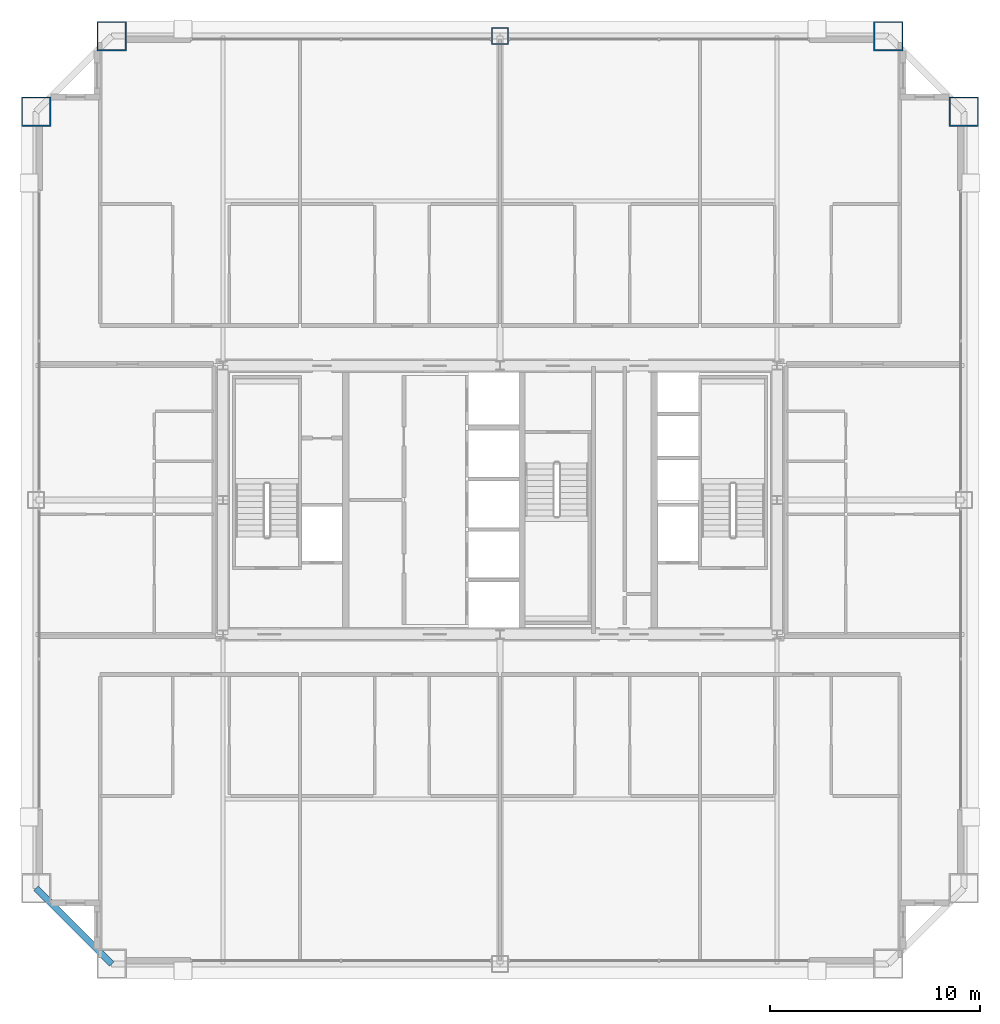
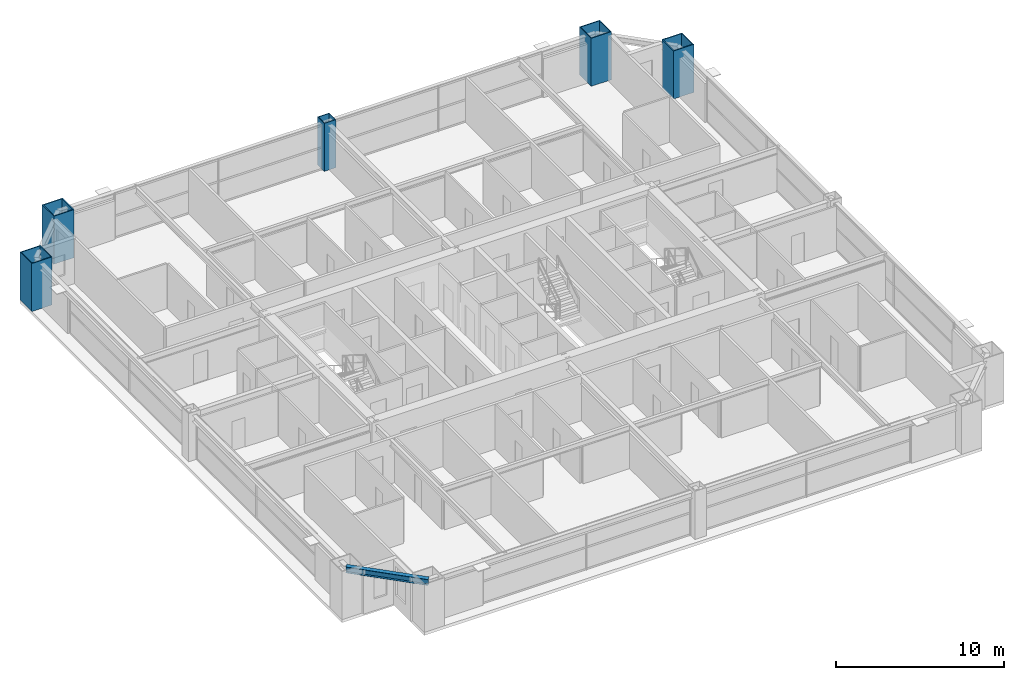
# One storey, part 3 of 38: 5 columns, 1 beam.
"""IFC4 building model written with IfcOpenShell, lengths in metres."""

from ifc_helpers import new_model, si_unit, direction, frame, origin, origin_2d, place, context, subcontext, project, spatial, hollow_rectangle, i_section, extrude, source, transform, mapped, material, material_profile, profile_set, type_object, element, save


model = new_model("IFC4")

# Units and contexts
model_context = context("Model", 3, precision=1e-05, world=origin(), true_north=direction((0.0, 1.0)))
body_context = subcontext(model_context, "Body", "Model", "MODEL_VIEW")
ifc_project = project(units=[si_unit("LENGTHUNIT", "METRE"), si_unit("AREAUNIT", "SQUARE_METRE"), si_unit("VOLUMEUNIT", "CUBIC_METRE"), si_unit("PLANEANGLEUNIT", "RADIAN"), si_unit("MASSUNIT", "GRAM", prefix="KILO"), si_unit("THERMODYNAMICTEMPERATUREUNIT", "KELVIN"), si_unit("POWERUNIT", "WATT")], contexts=[model_context])

# Site, building, storey
site_placement = place(None, origin())
site = spatial("IfcSite", under=ifc_project, at=site_placement, CompositionType="ELEMENT")
building_placement = place(site_placement, origin())
building = spatial("IfcBuilding", under=site, at=building_placement, Name="Yuzanri Waterfront Tower", CompositionType="ELEMENT")
storey_placement = place(building_placement, frame((0.0, 0.0, 181.0)))
storey = spatial("IfcBuildingStorey", under=building, at=storey_placement, Name="L47", CompositionType="ELEMENT", Elevation=181.0)

# Columns
ifc_material_1 = material(Name="Steel Q420GJC", Category="steel")
ifc_material_profile_1 = material_profile(ifc_material_1, hollow_rectangle(XDim=1.39990234375, YDim=1.39990234375, WallThickness=0.06005859375, at=origin_2d()), Name="RHS 1400x1400x60")
ifc_profile_set_1 = profile_set([ifc_material_profile_1], Name="Steel Q420GJC")
column_type_1 = type_object("IfcColumnType", Name="Mega Column Q420GJC RHS 1400x1400x60", PredefinedType="COLUMN", material=ifc_profile_set_1)
shared_shape_1 = source(origin(), body_context, "Body", "SweptSolid", [
    extrude(hollow_rectangle(XDim=1.39990234375, YDim=1.39990234375, WallThickness=0.06005859375, at=origin_2d()), origin(), (0.0, 0.0, 1.0), 3.5),
])
for number, where, z_axis, x_axis, name in (
    (1, (18.5, 47.89990234375, 0.0), (0.0, 0.0, 1.0), (1.0, 0.0, 0.0), "L47 Perimeter Mega Column N1"),
    (2, (55.5, 47.89990234375, 0.0), (0.0, 0.0, 1.0), (1.0, 0.0, 0.0), "L47 Perimeter Mega Column N3"),
    (3, (14.89990234375, 44.300048828125, 0.0), (0.0, 0.0, 1.0), (1.0, 0.0, 0.0), "L47 Perimeter Mega Column W3"),
    (4, (59.10009765625, 44.300048828125, 0.0), (0.0, 0.0, 1.0), (1.0, 0.0, 0.0), "L47 Perimeter Mega Column E3"),
):
    element("IfcColumn", number, at=place(storey_placement, frame(where, z_axis=z_axis, x_axis=x_axis)), inside=storey, type_object=column_type_1, Name=name, PredefinedType="COLUMN", context=body_context, shape_type="MappedRepresentation", body=[
        mapped(shared_shape_1, transform((0.0, 0.0, 0.0), scale=1.0)),
    ])
ifc_material_2 = material(Name="Steel Q390GJC", Category="steel")
ifc_material_profile_2 = material_profile(ifc_material_2, hollow_rectangle(XDim=0.800048828125, YDim=0.800048828125, WallThickness=0.035888671875, at=origin_2d()), Name="RHS 800x800x36")
ifc_profile_set_2 = profile_set([ifc_material_profile_2], Name="Steel Q390GJC")
column_type_2 = type_object("IfcColumnType", Name="Frame Column Q390GJC RHS 800x800x36", PredefinedType="COLUMN", material=ifc_profile_set_2)
shared_shape_2 = source(origin(), body_context, "Body", "SweptSolid", [
    extrude(hollow_rectangle(XDim=0.800048828125, YDim=0.800048828125, WallThickness=0.035888671875, at=origin_2d()), origin(), (0.0, 0.0, 1.0), 3.5),
])
column_placement = place(storey_placement, frame((37.0, 47.89990234375, 0.0), z_axis=(0.0, 0.0, 1.0), x_axis=(1.0, 0.0, 0.0)))
element("IfcColumn", 5, at=column_placement, inside=storey, type_object=column_type_2, Name="L47 Perimeter Frame Column N2", PredefinedType="COLUMN", context=body_context, shape_type="MappedRepresentation", body=[
    mapped(shared_shape_2, transform((0.0, 0.0, 0.0), scale=1.0)),
])

# Beam
ifc_material_3 = material(Name="Steel Q355B", Category="steel")
ifc_material_profile_3 = material_profile(ifc_material_3, i_section(OverallWidth=0.300048828125, OverallDepth=0.43994140625, WebThickness=0.010986328125, FlangeThickness=0.01806640625, at=origin_2d()), Name="HM 440x300x11x18")
ifc_profile_set_3 = profile_set([ifc_material_profile_3], Name="Steel Q355B")
beam_type = type_object("IfcBeamType", Name="Perimeter Spandrel Q355B HM 440x300", PredefinedType="SPANDREL", material=ifc_profile_set_3)
shared_shape_3 = source(origin(), body_context, "Body", "SweptSolid", [
    extrude(i_section(OverallWidth=0.300048828125, OverallDepth=0.43994140625, WebThickness=0.010986328125, FlangeThickness=0.01806640625, at=origin_2d()), origin(), (0.0, 0.0, 1.0), 5.09130859375),
])
beam_placement = place(storey_placement, frame((14.89990234375, 7.300048828125, 3.06005859375), z_axis=(0.707106781187, -0.707106781187, 0.0), x_axis=(0.707106781187, 0.707106781187, 0.0)))
element("IfcBeam", 6, at=beam_placement, inside=storey, type_object=beam_type, Name="L47 Perimeter Spandrel W1-S1", PredefinedType="SPANDREL", context=body_context, shape_type="MappedRepresentation", body=[
    mapped(shared_shape_3, transform((0.0, 0.0, 0.0), scale=1.0)),
])

save(model, "model.ifc")
